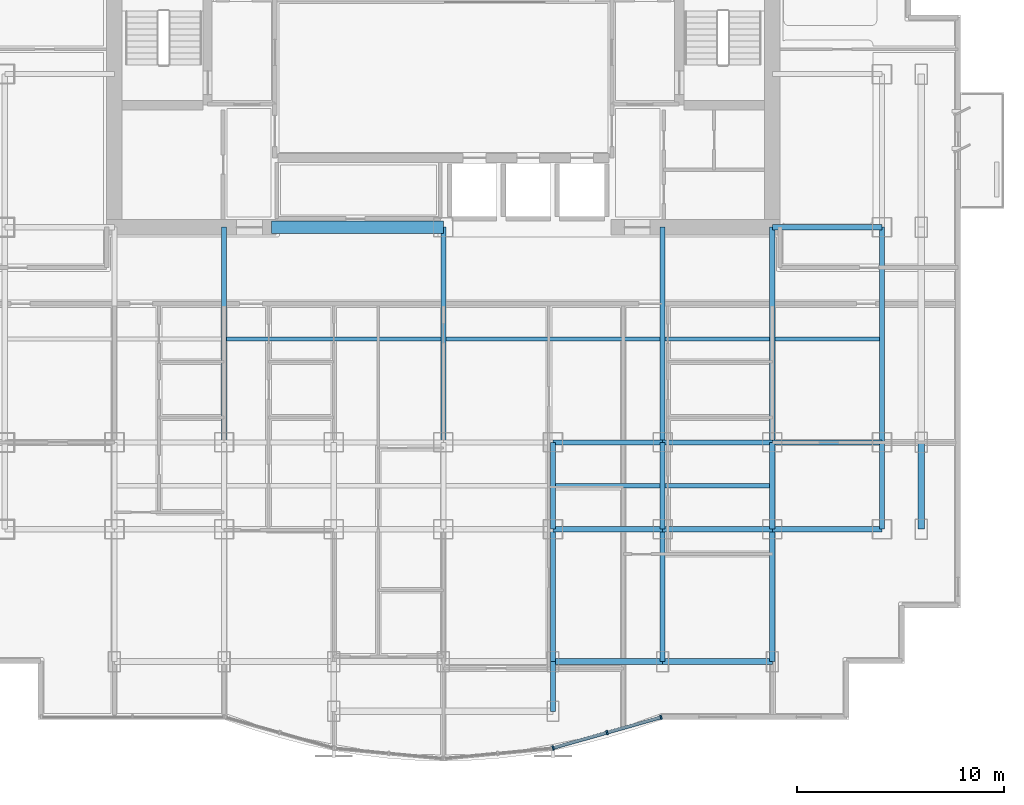
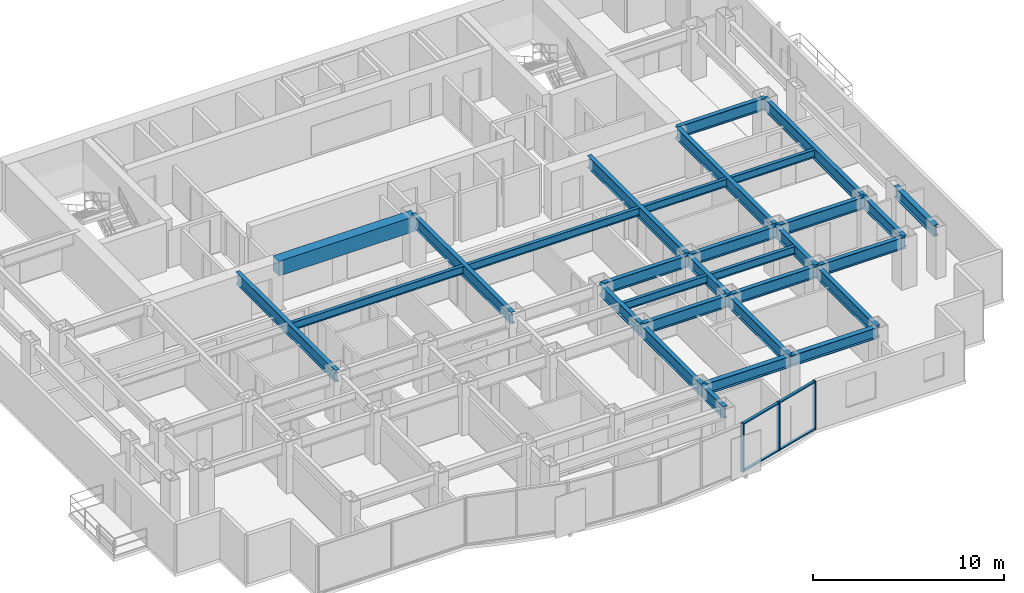
# One storey, part 3 of 10: 30 beams, 7 members, 1 element without a shape of its own.
"""IFC4 building model written with IfcOpenShell, lengths in metres."""

from ifc_helpers import new_model, si_unit, direction, frame, origin, origin_2d, place, context, subcontext, project, spatial, rectangle, i_section, extrude, source, transform, mapped, material, layer, layer_set, material_profile, profile_set, type_object, element, aggregate, save


model = new_model("IFC4")

# Units and contexts
model_context = context("Model", 3, precision=1e-05, world=origin(), true_north=direction((0.0, 1.0)))
body_context = subcontext(model_context, "Body", "Model", "MODEL_VIEW")
ifc_project = project(units=[si_unit("LENGTHUNIT", "METRE"), si_unit("AREAUNIT", "SQUARE_METRE"), si_unit("VOLUMEUNIT", "CUBIC_METRE"), si_unit("PLANEANGLEUNIT", "RADIAN"), si_unit("MASSUNIT", "GRAM", prefix="KILO")], contexts=[model_context])

# Site, building, storey
site_placement = place(None, origin())
site = spatial("IfcSite", under=ifc_project, at=site_placement, CompositionType="ELEMENT")
building_placement = place(site_placement, origin())
building = spatial("IfcBuilding", under=site, at=building_placement, Name="Qianlan Lanfeng Residences", CompositionType="ELEMENT")
storey_placement = place(building_placement, frame((0.0, 0.0, 114.699951171875)))
storey = spatial("IfcBuildingStorey", under=building, at=storey_placement, Name="L31", CompositionType="ELEMENT", Elevation=114.699951171875)

# Beams
ifc_material_1 = material(Name="Steel SN490B", Category="steel")
ifc_material_profile_1 = material_profile(ifc_material_1, i_section(OverallWidth=0.25, OverallDepth=0.75, WebThickness=0.013916015625, FlangeThickness=0.02490234375, at=origin_2d()), Name="H 750x250x14x25")
ifc_profile_set_1 = profile_set([ifc_material_profile_1], Name="Steel SN490B")
beam_type_1 = type_object("IfcBeamType", Name="G-850", PredefinedType="BEAM", material=ifc_profile_set_1)
beam_1_placement = place(storey_placement, frame((31.800048828125, 10.60009765625, 2.715087890625), z_axis=(1.0, 0.0, 0.0), x_axis=(0.0, 1.0, 0.0)))
element("IfcBeam", 1, at=beam_1_placement, inside=storey, type_object=beam_type_1, Name="Structural beam G-850", PredefinedType="BEAM", context=body_context, shape_type="SweptSolid", body=[
    extrude(i_section(OverallWidth=0.25, OverallDepth=0.75, WebThickness=0.013916015625, FlangeThickness=0.02490234375, at=origin_2d()), origin(), (0.0, 0.0, 1.0), 5.300048828125),
])
beam_2_placement = place(storey_placement, frame((37.10009765625, 10.60009765625, 2.715087890625), z_axis=(1.0, 0.0, 0.0), x_axis=(0.0, 1.0, 0.0)))
element("IfcBeam", 2, at=beam_2_placement, inside=storey, type_object=beam_type_1, Name="Structural beam G-850", PredefinedType="BEAM", context=body_context, shape_type="SweptSolid", body=[
    extrude(i_section(OverallWidth=0.25, OverallDepth=0.75, WebThickness=0.013916015625, FlangeThickness=0.02490234375, at=origin_2d()), origin(), (0.0, 0.0, 1.0), 5.2998046875),
])
for number, where, z_axis, x_axis, name in (
    (3, (42.39990234375, 10.60009765625, 2.715087890625), (1.0, 0.0, 0.0), (0.0, 1.0, 0.0), "Structural beam G-850"),
    (4, (31.800048828125, 14.800048828125, 2.715087890625), (1.0, 0.0, 0.0), (0.0, 1.0, 0.0), "Structural beam G-850"),
):
    element("IfcBeam", number, at=place(storey_placement, frame(where, z_axis=z_axis, x_axis=x_axis)), inside=storey, type_object=beam_type_1, Name=name, PredefinedType="BEAM", context=body_context, shape_type="SweptSolid", body=[
        extrude(i_section(OverallWidth=0.25, OverallDepth=0.75, WebThickness=0.013916015625, FlangeThickness=0.02490234375, at=origin_2d()), origin(), (0.0, 0.0, 1.0), 5.300048828125),
    ])
beam_3_placement = place(storey_placement, frame((37.10009765625, 14.800048828125, 2.715087890625), z_axis=(1.0, 0.0, 0.0), x_axis=(0.0, 1.0, 0.0)))
element("IfcBeam", 5, at=beam_3_placement, inside=storey, type_object=beam_type_1, Name="Structural beam G-850", PredefinedType="BEAM", context=body_context, shape_type="SweptSolid", body=[
    extrude(i_section(OverallWidth=0.25, OverallDepth=0.75, WebThickness=0.013916015625, FlangeThickness=0.02490234375, at=origin_2d()), origin(), (0.0, 0.0, 1.0), 5.2998046875),
])
for number, where, z_axis, x_axis, name in (
    (6, (42.39990234375, 14.800048828125, 2.715087890625), (1.0, 0.0, 0.0), (0.0, 1.0, 0.0), "Structural beam G-850"),
    (7, (42.39990234375, 25.199951171875, 2.715087890625), (1.0, 0.0, 0.0), (0.0, 1.0, 0.0), "Structural beam G-850"),
):
    element("IfcBeam", number, at=place(storey_placement, frame(where, z_axis=z_axis, x_axis=x_axis)), inside=storey, type_object=beam_type_1, Name=name, PredefinedType="BEAM", context=body_context, shape_type="SweptSolid", body=[
        extrude(i_section(OverallWidth=0.25, OverallDepth=0.75, WebThickness=0.013916015625, FlangeThickness=0.02490234375, at=origin_2d()), origin(), (0.0, 0.0, 1.0), 5.300048828125),
    ])
for number, where, z_axis, x_axis, name in (
    (8, (15.89990234375, 14.800048828125, 2.715087890625), (0.0, 1.0, 0.0), (-1.0, 0.0, 0.0), "Structural beam G-850"),
    (9, (26.5, 14.800048828125, 2.715087890625), (0.0, 1.0, 0.0), (-1.0, 0.0, 0.0), "Structural beam G-850"),
):
    element("IfcBeam", number, at=place(storey_placement, frame(where, z_axis=z_axis, x_axis=x_axis)), inside=storey, type_object=beam_type_1, Name=name, PredefinedType="BEAM", context=body_context, shape_type="SweptSolid", body=[
        extrude(i_section(OverallWidth=0.25, OverallDepth=0.75, WebThickness=0.013916015625, FlangeThickness=0.02490234375, at=origin_2d()), origin(), (0.0, 0.0, 1.0), 10.39990234375),
    ])
beam_4_placement = place(storey_placement, frame((31.800048828125, 1.800048828125, 2.715087890625), z_axis=(0.0, 1.0, 0.0), x_axis=(-1.0, 0.0, 0.0)))
element("IfcBeam", 10, at=beam_4_placement, inside=storey, type_object=beam_type_1, Name="Structural beam G-850", PredefinedType="BEAM", context=body_context, shape_type="SweptSolid", body=[
    extrude(i_section(OverallWidth=0.25, OverallDepth=0.75, WebThickness=0.013916015625, FlangeThickness=0.02490234375, at=origin_2d()), origin(), (0.0, 0.0, 1.0), 2.39990234375),
])
beam_5_placement = place(storey_placement, frame((31.800048828125, 4.199951171875, 2.715087890625), z_axis=(0.0, 1.0, 0.0), x_axis=(-1.0, 0.0, 0.0)))
element("IfcBeam", 11, at=beam_5_placement, inside=storey, type_object=beam_type_1, Name="Structural beam G-850", PredefinedType="BEAM", context=body_context, shape_type="SweptSolid", body=[
    extrude(i_section(OverallWidth=0.25, OverallDepth=0.75, WebThickness=0.013916015625, FlangeThickness=0.02490234375, at=origin_2d()), origin(), (0.0, 0.0, 1.0), 6.400146484375),
])
beam_6_placement = place(storey_placement, frame((31.800048828125, 10.60009765625, 2.715087890625), z_axis=(0.0, 1.0, 0.0), x_axis=(-1.0, 0.0, 0.0)))
element("IfcBeam", 12, at=beam_6_placement, inside=storey, type_object=beam_type_1, Name="Structural beam G-850", PredefinedType="BEAM", context=body_context, shape_type="SweptSolid", body=[
    extrude(i_section(OverallWidth=0.25, OverallDepth=0.75, WebThickness=0.013916015625, FlangeThickness=0.02490234375, at=origin_2d()), origin(), (0.0, 0.0, 1.0), 4.199951171875),
])
beam_7_placement = place(storey_placement, frame((37.10009765625, 4.199951171875, 2.715087890625), z_axis=(0.0, 1.0, 0.0), x_axis=(-1.0, 0.0, 0.0)))
element("IfcBeam", 13, at=beam_7_placement, inside=storey, type_object=beam_type_1, Name="Structural beam G-850", PredefinedType="BEAM", context=body_context, shape_type="SweptSolid", body=[
    extrude(i_section(OverallWidth=0.25, OverallDepth=0.75, WebThickness=0.013916015625, FlangeThickness=0.02490234375, at=origin_2d()), origin(), (0.0, 0.0, 1.0), 6.400146484375),
])
beam_8_placement = place(storey_placement, frame((37.10009765625, 10.60009765625, 2.715087890625), z_axis=(0.0, 1.0, 0.0), x_axis=(-1.0, 0.0, 0.0)))
element("IfcBeam", 14, at=beam_8_placement, inside=storey, type_object=beam_type_1, Name="Structural beam G-850", PredefinedType="BEAM", context=body_context, shape_type="SweptSolid", body=[
    extrude(i_section(OverallWidth=0.25, OverallDepth=0.75, WebThickness=0.013916015625, FlangeThickness=0.02490234375, at=origin_2d()), origin(), (0.0, 0.0, 1.0), 4.199951171875),
])
beam_9_placement = place(storey_placement, frame((37.10009765625, 14.800048828125, 2.715087890625), z_axis=(0.0, 1.0, 0.0), x_axis=(-1.0, 0.0, 0.0)))
element("IfcBeam", 15, at=beam_9_placement, inside=storey, type_object=beam_type_1, Name="Structural beam G-850", PredefinedType="BEAM", context=body_context, shape_type="SweptSolid", body=[
    extrude(i_section(OverallWidth=0.25, OverallDepth=0.75, WebThickness=0.013916015625, FlangeThickness=0.02490234375, at=origin_2d()), origin(), (0.0, 0.0, 1.0), 10.39990234375),
])
beam_10_placement = place(storey_placement, frame((42.39990234375, 4.199951171875, 2.715087890625), z_axis=(0.0, 1.0, 0.0), x_axis=(-1.0, 0.0, 0.0)))
element("IfcBeam", 16, at=beam_10_placement, inside=storey, type_object=beam_type_1, Name="Structural beam G-850", PredefinedType="BEAM", context=body_context, shape_type="SweptSolid", body=[
    extrude(i_section(OverallWidth=0.25, OverallDepth=0.75, WebThickness=0.013916015625, FlangeThickness=0.02490234375, at=origin_2d()), origin(), (0.0, 0.0, 1.0), 6.400146484375),
])
beam_11_placement = place(storey_placement, frame((42.39990234375, 10.60009765625, 2.715087890625), z_axis=(0.0, 1.0, 0.0), x_axis=(-1.0, 0.0, 0.0)))
element("IfcBeam", 17, at=beam_11_placement, inside=storey, type_object=beam_type_1, Name="Structural beam G-850", PredefinedType="BEAM", context=body_context, shape_type="SweptSolid", body=[
    extrude(i_section(OverallWidth=0.25, OverallDepth=0.75, WebThickness=0.013916015625, FlangeThickness=0.02490234375, at=origin_2d()), origin(), (0.0, 0.0, 1.0), 4.199951171875),
])
beam_12_placement = place(storey_placement, frame((42.39990234375, 14.800048828125, 2.715087890625), z_axis=(0.0, 1.0, 0.0), x_axis=(-1.0, 0.0, 0.0)))
element("IfcBeam", 18, at=beam_12_placement, inside=storey, type_object=beam_type_1, Name="Structural beam G-850", PredefinedType="BEAM", context=body_context, shape_type="SweptSolid", body=[
    extrude(i_section(OverallWidth=0.25, OverallDepth=0.75, WebThickness=0.013916015625, FlangeThickness=0.02490234375, at=origin_2d()), origin(), (0.0, 0.0, 1.0), 10.39990234375),
])
beam_13_placement = place(storey_placement, frame((47.699951171875, 10.60009765625, 2.715087890625), z_axis=(0.0, 1.0, 0.0), x_axis=(-1.0, 0.0, 0.0)))
element("IfcBeam", 19, at=beam_13_placement, inside=storey, type_object=beam_type_1, Name="Structural beam G-850", PredefinedType="BEAM", context=body_context, shape_type="SweptSolid", body=[
    extrude(i_section(OverallWidth=0.25, OverallDepth=0.75, WebThickness=0.013916015625, FlangeThickness=0.02490234375, at=origin_2d()), origin(), (0.0, 0.0, 1.0), 4.199951171875),
])
beam_14_placement = place(storey_placement, frame((47.699951171875, 14.800048828125, 2.715087890625), z_axis=(0.0, 1.0, 0.0), x_axis=(-1.0, 0.0, 0.0)))
element("IfcBeam", 20, at=beam_14_placement, inside=storey, type_object=beam_type_1, Name="Structural beam G-850", PredefinedType="BEAM", context=body_context, shape_type="SweptSolid", body=[
    extrude(i_section(OverallWidth=0.25, OverallDepth=0.75, WebThickness=0.013916015625, FlangeThickness=0.02490234375, at=origin_2d()), origin(), (0.0, 0.0, 1.0), 10.39990234375),
])
ifc_material_profile_2 = material_profile(ifc_material_1, i_section(OverallWidth=0.199951171875, OverallDepth=0.5, WebThickness=0.010009765625, FlangeThickness=0.01611328125, at=origin_2d()), Name="H 500x200x10x16")
ifc_profile_set_2 = profile_set([ifc_material_profile_2], Name="Steel SN490B")
beam_type_2 = type_object("IfcBeamType", Name="J-500", PredefinedType="JOIST", material=ifc_profile_set_2)
beam_15_placement = place(storey_placement, frame((31.925048828125, 12.699951171875, 2.840087890625), z_axis=(1.0, 0.0, 0.0), x_axis=(0.0, 1.0, 0.0)))
element("IfcBeam", 21, at=beam_15_placement, inside=storey, type_object=beam_type_2, Name="Structural beam J-500", PredefinedType="JOIST", context=body_context, shape_type="SweptSolid", body=[
    extrude(i_section(OverallWidth=0.199951171875, OverallDepth=0.5, WebThickness=0.010009765625, FlangeThickness=0.01611328125, at=origin_2d()), origin(), (0.0, 0.0, 1.0), 5.050048828125),
])
beam_16_placement = place(storey_placement, frame((37.22509765625, 12.699951171875, 2.840087890625), z_axis=(1.0, 0.0, 0.0), x_axis=(0.0, 1.0, 0.0)))
element("IfcBeam", 22, at=beam_16_placement, inside=storey, type_object=beam_type_2, Name="Structural beam J-500", PredefinedType="JOIST", context=body_context, shape_type="SweptSolid", body=[
    extrude(i_section(OverallWidth=0.199951171875, OverallDepth=0.5, WebThickness=0.010009765625, FlangeThickness=0.01611328125, at=origin_2d()), origin(), (0.0, 0.0, 1.0), 5.0498046875),
])
for number, where, z_axis, x_axis, name in (
    (23, (16.02490234375, 19.800048828125, 2.840087890625), (1.0, 0.0, 0.0), (0.0, 1.0, 0.0), "Structural beam J-500"),
    (24, (26.625, 19.800048828125, 2.840087890625), (1.0, 0.0, 0.0), (0.0, 1.0, 0.0), "Structural beam J-500"),
):
    element("IfcBeam", number, at=place(storey_placement, frame(where, z_axis=z_axis, x_axis=x_axis)), inside=storey, type_object=beam_type_2, Name=name, PredefinedType="JOIST", context=body_context, shape_type="SweptSolid", body=[
        extrude(i_section(OverallWidth=0.199951171875, OverallDepth=0.5, WebThickness=0.010009765625, FlangeThickness=0.01611328125, at=origin_2d()), origin(), (0.0, 0.0, 1.0), 10.35009765625),
    ])
beam_17_placement = place(storey_placement, frame((37.22509765625, 19.800048828125, 2.840087890625), z_axis=(1.0, 0.0, 0.0), x_axis=(0.0, 1.0, 0.0)))
element("IfcBeam", 25, at=beam_17_placement, inside=storey, type_object=beam_type_2, Name="Structural beam J-500", PredefinedType="JOIST", context=body_context, shape_type="SweptSolid", body=[
    extrude(i_section(OverallWidth=0.199951171875, OverallDepth=0.5, WebThickness=0.010009765625, FlangeThickness=0.01611328125, at=origin_2d()), origin(), (0.0, 0.0, 1.0), 5.0498046875),
])
beam_18_placement = place(storey_placement, frame((42.52490234375, 19.800048828125, 2.840087890625), z_axis=(1.0, 0.0, 0.0), x_axis=(0.0, 1.0, 0.0)))
element("IfcBeam", 26, at=beam_18_placement, inside=storey, type_object=beam_type_2, Name="Structural beam J-500", PredefinedType="JOIST", context=body_context, shape_type="SweptSolid", body=[
    extrude(i_section(OverallWidth=0.199951171875, OverallDepth=0.5, WebThickness=0.010009765625, FlangeThickness=0.01611328125, at=origin_2d()), origin(), (0.0, 0.0, 1.0), 5.050048828125),
])
ifc_material_2 = material(Name="Concrete C60", Category="concrete")
ifc_material_profile_3 = material_profile(ifc_material_2, rectangle(XDim=0.60009765625, YDim=0.949951171875, at=origin_2d()), Name="RC 600x950")
ifc_profile_set_3 = profile_set([ifc_material_profile_3], Name="Concrete C60")
beam_type_3 = type_object("IfcBeamType", Name="LB-RC900", PredefinedType="BEAM", material=ifc_profile_set_3)
beam_19_placement = place(storey_placement, frame((18.199951171875, 25.199951171875, 2.614990234375), z_axis=(1.0, 0.0, 0.0), x_axis=(0.0, 1.0, 0.0)))
element("IfcBeam", 27, at=beam_19_placement, inside=storey, type_object=beam_type_3, Name="L31 Core Coupling Beam W", PredefinedType="BEAM", context=body_context, shape_type="SweptSolid", body=[
    extrude(rectangle(XDim=0.60009765625, YDim=0.949951171875, at=origin_2d()), origin(), (0.0, 0.0, 1.0), 8.300048828125),
])
ifc_material_profile_4 = material_profile(ifc_material_1, i_section(OverallWidth=0.300048828125, OverallDepth=0.699951171875, WebThickness=0.012939453125, FlangeThickness=0.02392578125, at=origin_2d()), Name="H 700x300x13x24")
ifc_profile_set_4 = profile_set([ifc_material_profile_4], Name="Steel SN490B")
beam_type_4 = type_object("IfcBeamType", Name="SG-750", PredefinedType="SPANDREL", material=ifc_profile_set_4)
beam_20_placement = place(storey_placement, frame((31.800048828125, 4.199951171875, 2.739990234375), z_axis=(1.0, 0.0, 0.0), x_axis=(0.0, 1.0, 0.0)))
element("IfcBeam", 28, at=beam_20_placement, inside=storey, type_object=beam_type_4, Name="Structural beam SG-750", PredefinedType="SPANDREL", context=body_context, shape_type="SweptSolid", body=[
    extrude(i_section(OverallWidth=0.300048828125, OverallDepth=0.699951171875, WebThickness=0.012939453125, FlangeThickness=0.02392578125, at=origin_2d()), origin(), (0.0, 0.0, 1.0), 5.300048828125),
])
beam_21_placement = place(storey_placement, frame((37.10009765625, 4.199951171875, 2.739990234375), z_axis=(1.0, 0.0, 0.0), x_axis=(0.0, 1.0, 0.0)))
element("IfcBeam", 29, at=beam_21_placement, inside=storey, type_object=beam_type_4, Name="Structural beam SG-750", PredefinedType="SPANDREL", context=body_context, shape_type="SweptSolid", body=[
    extrude(i_section(OverallWidth=0.300048828125, OverallDepth=0.699951171875, WebThickness=0.012939453125, FlangeThickness=0.02392578125, at=origin_2d()), origin(), (0.0, 0.0, 1.0), 5.2998046875),
])
beam_22_placement = place(storey_placement, frame((49.60009765625, 10.60009765625, 2.739990234375), z_axis=(0.0, 1.0, 0.0), x_axis=(-1.0, 0.0, 0.0)))
element("IfcBeam", 30, at=beam_22_placement, inside=storey, type_object=beam_type_4, Name="Structural beam SG-750", PredefinedType="SPANDREL", context=body_context, shape_type="SweptSolid", body=[
    extrude(i_section(OverallWidth=0.300048828125, OverallDepth=0.699951171875, WebThickness=0.012939453125, FlangeThickness=0.02392578125, at=origin_2d()), origin(), (0.0, 0.0, 1.0), 4.199951171875),
])

# Curtain wall, members
ifc_material_3 = material(Name="Anodised Bronze Aluminium 6063-T6", Category="aluminium")
ifc_layer = layer(ifc_material_3, 0.219970703125)
ifc_layer_set = layer_set([ifc_layer], Name="Anodised Bronze Aluminium 6063-T6")
curtain_wall_type = type_object("IfcCurtainWallType", Name="CW-03", PredefinedType="NOTDEFINED", material=ifc_layer_set)
curtain_wall_placement = place(storey_placement, origin())
curtain_wall = element("IfcCurtainWall", 31, at=curtain_wall_placement, inside=storey, type_object=curtain_wall_type, Name="L31 Unitised Curtain Wall CWR-L31-05 (CW-03)", PredefinedType="NOTDEFINED")
ifc_material_profile_5 = material_profile(ifc_material_3, rectangle(XDim=0.080078125, YDim=0.159912109375, at=origin_2d()), Name="ALU TRANSOM 80x160")
ifc_profile_set_5 = profile_set([ifc_material_profile_5], Name="Anodised Bronze Aluminium 6063-T6")
member_type_1 = type_object("IfcMemberType", Name="CWT-180", PredefinedType="USERDEFINED", material=ifc_profile_set_5)
shared_shape_1 = source(origin(), body_context, "Body", "SweptSolid", [
    extrude(rectangle(XDim=0.080078125, YDim=0.159912109375, at=origin_2d()), origin(), (0.0, 0.0, 1.0), 2.630126953125),
])
member_1_placement = place(storey_placement, frame((31.844970703125, 0.039794921875, 0.0400390625), z_axis=(0.961984978242, 0.273102364758, 0.0), x_axis=(0.0, 0.0, 1.0)))
member_1 = element("IfcMember", 32, at=member_1_placement, type_object=member_type_1, Name="CWR-L31-05 Transom 1-BOT", ObjectType="TRANSOM", PredefinedType="USERDEFINED", context=body_context, shape_type="MappedRepresentation", body=[
    mapped(shared_shape_1, transform((0.0, 0.0, 0.0), scale=1.0)),
])
member_2_placement = place(storey_placement, frame((31.844970703125, 0.039794921875, 3.050048828125), z_axis=(0.961984978242, 0.273102364758, 0.0), x_axis=(0.0, 0.0, 1.0)))
member_2 = element("IfcMember", 33, at=member_2_placement, type_object=member_type_1, Name="CWR-L31-05 Transom 1-TOP", ObjectType="TRANSOM", PredefinedType="USERDEFINED", context=body_context, shape_type="MappedRepresentation", body=[
    mapped(shared_shape_1, transform((0.0, 0.0, 0.0), scale=1.0)),
])
shared_shape_2 = source(origin(), body_context, "Body", "SweptSolid", [
    extrude(rectangle(XDim=0.080078125, YDim=0.159912109375, at=origin_2d()), origin(), (0.0, 0.0, 1.0), 2.63037109375),
])
member_3_placement = place(storey_placement, frame((34.451904296875, 0.77978515625, 0.0400390625), z_axis=(0.961967513886, 0.273163874312, 0.0), x_axis=(0.0, 0.0, 1.0)))
member_3 = element("IfcMember", 34, at=member_3_placement, type_object=member_type_1, Name="CWR-L31-05 Transom 2-BOT", ObjectType="TRANSOM", PredefinedType="USERDEFINED", context=body_context, shape_type="MappedRepresentation", body=[
    mapped(shared_shape_2, transform((0.0, 0.0, 0.0), scale=1.0)),
])
member_4_placement = place(storey_placement, frame((34.451904296875, 0.77978515625, 3.050048828125), z_axis=(0.961967513886, 0.273163874312, 0.0), x_axis=(0.0, 0.0, 1.0)))
member_4 = element("IfcMember", 35, at=member_4_placement, type_object=member_type_1, Name="CWR-L31-05 Transom 2-TOP", ObjectType="TRANSOM", PredefinedType="USERDEFINED", context=body_context, shape_type="MappedRepresentation", body=[
    mapped(shared_shape_2, transform((0.0, 0.0, 0.0), scale=1.0)),
])
ifc_material_profile_6 = material_profile(ifc_material_3, rectangle(XDim=0.080078125, YDim=0.2099609375, at=origin_2d()), Name="ALU MULLION 80x210")
ifc_profile_set_6 = profile_set([ifc_material_profile_6], Name="Anodised Bronze Aluminium 6063-T6")
member_type_2 = type_object("IfcMemberType", Name="CWM-220", PredefinedType="MULLION", material=ifc_profile_set_6)
shared_shape_3 = source(origin(), body_context, "Body", "SweptSolid", [
    extrude(rectangle(XDim=0.080078125, YDim=0.2099609375, at=origin_2d()), origin(), (0.0, 0.0, 1.0), 3.090087890625),
])
member_5_placement = place(storey_placement, frame((31.806396484375, 0.02880859375, 0.0), z_axis=(0.0, 0.0, 1.0), x_axis=(0.961989074302, 0.273087936247, 0.0)))
member_5 = element("IfcMember", 36, at=member_5_placement, type_object=member_type_2, Name="CWR-L31-05 Mullion 1", PredefinedType="MULLION", context=body_context, shape_type="MappedRepresentation", body=[
    mapped(shared_shape_3, transform((0.0, 0.0, 0.0), scale=1.0)),
])
member_6_placement = place(storey_placement, frame((34.41357421875, 0.76904296875, 0.0), z_axis=(0.0, 0.0, 1.0), x_axis=(0.961989074302, 0.273087936247, 0.0)))
member_6 = element("IfcMember", 37, at=member_6_placement, type_object=member_type_2, Name="CWR-L31-05 Mullion 2", PredefinedType="MULLION", context=body_context, shape_type="MappedRepresentation", body=[
    mapped(shared_shape_3, transform((0.0, 0.0, 0.0), scale=1.0)),
])
member_7_placement = place(storey_placement, frame((37.0205078125, 1.509033203125, 0.0), z_axis=(0.0, 0.0, 1.0), x_axis=(0.961989074302, 0.273087936247, 0.0)))
member_7 = element("IfcMember", 38, at=member_7_placement, type_object=member_type_2, Name="CWR-L31-05 Mullion 3", PredefinedType="MULLION", context=body_context, shape_type="MappedRepresentation", body=[
    mapped(shared_shape_3, transform((0.0, 0.0, 0.0), scale=1.0)),
])
aggregate(curtain_wall, [member_5, member_6, member_7, member_1, member_2, member_3, member_4])

save(model, "model.ifc")
